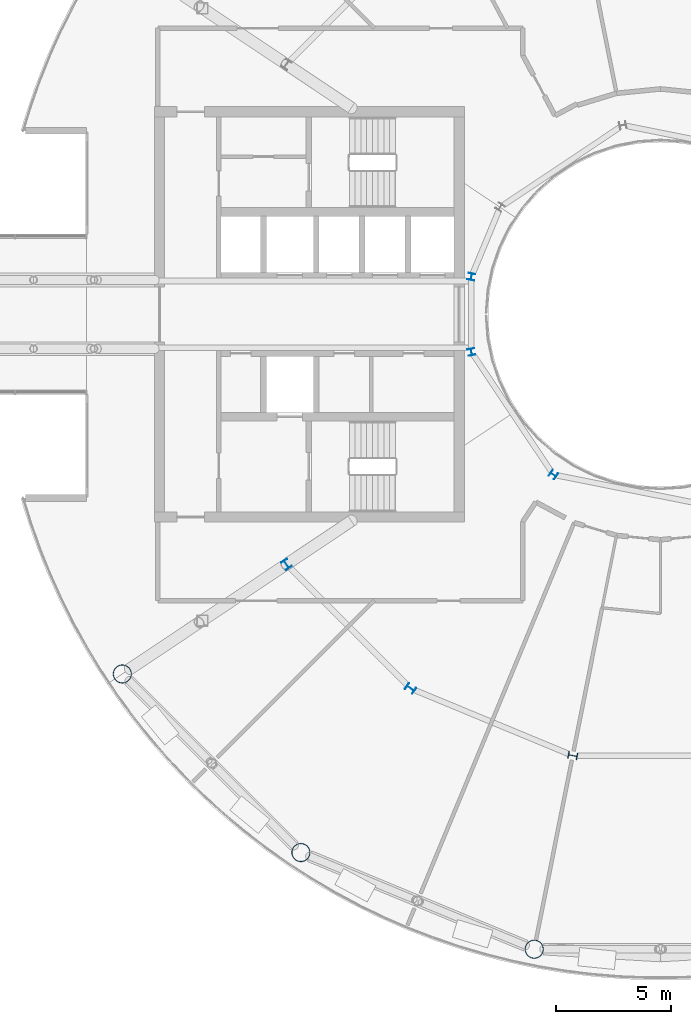
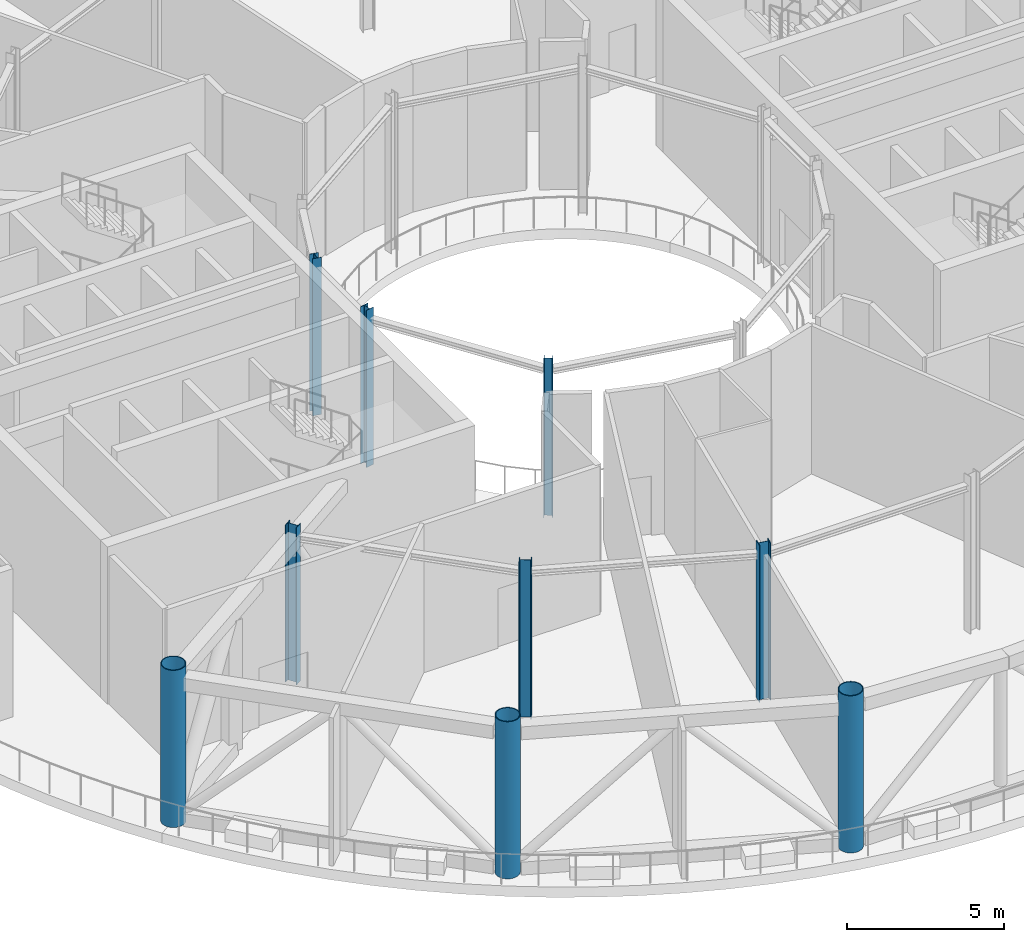
# One storey, part 1 of 24: 9 columns.
"""IFC4 building model written with IfcOpenShell, lengths in metres."""

from ifc_helpers import new_model, si_unit, direction, frame, origin, origin_2d, place, context, subcontext, project, spatial, hollow_circle, i_section, extrude, material, material_profile, profile_set, type_object, element, save


model = new_model("IFC4")

# Units and contexts
model_context = context("Model", 3, precision=1e-05, world=origin(), true_north=direction((0.0, 1.0)))
body_context = subcontext(model_context, "Body", "Model", "MODEL_VIEW")
ifc_project = project(units=[si_unit("LENGTHUNIT", "METRE"), si_unit("AREAUNIT", "SQUARE_METRE"), si_unit("VOLUMEUNIT", "CUBIC_METRE"), si_unit("PLANEANGLEUNIT", "RADIAN"), si_unit("MASSUNIT", "GRAM", prefix="KILO")], contexts=[model_context])

# Site, building, storey
site_placement = place(None, origin())
site = spatial("IfcSite", under=ifc_project, at=site_placement, CompositionType="ELEMENT")
building_placement = place(site_placement, origin())
building = spatial("IfcBuilding", under=site, at=building_placement, Name="Maasbend Ring Residences", CompositionType="ELEMENT")
storey_placement = place(building_placement, frame((0.0, 0.0, 221.85009765625)))
storey = spatial("IfcBuildingStorey", under=building, at=storey_placement, Name="L64", CompositionType="ELEMENT", Elevation=221.85009765625)

# Columns
ifc_material_1 = material(Name="Composite concrete-filled steel tube S460NH / C80/95", Category="concrete")
ifc_material_profile_1 = material_profile(ifc_material_1, hollow_circle(Radius=0.406494140625, WallThickness=0.030029296875, at=origin_2d()), Name="Composite tube column CHS 813x30")
ifc_profile_set_1 = profile_set([ifc_material_profile_1], Name="Composite concrete-filled steel tube S460NH / C80/95")
column_type_1 = type_object("IfcColumnType", Name="Composite tube column CHS 813x30", PredefinedType="COLUMN", material=ifc_profile_set_1)
for number, where, z_axis, x_axis, name in (
    (1, (-23.447509765625, -15.6669921875, 0.0), (0.0, 0.0, 1.0), (1.0, 0.0, 0.0), "Outer column R10"),
    (2, (-15.6669921875, -23.447509765625, 0.0), (0.0, 0.0, 1.0), (1.0, 0.0, 0.0), "Outer column R11"),
    (3, (-5.50146484375, -27.658203125, 0.0), (0.0, 0.0, 1.0), (1.0, 0.0, 0.0), "Outer column R12"),
):
    element("IfcColumn", number, at=place(storey_placement, frame(where, z_axis=z_axis, x_axis=x_axis)), inside=storey, type_object=column_type_1, Name=name, PredefinedType="COLUMN", context=body_context, shape_type="SweptSolid", body=[
        extrude(hollow_circle(Radius=0.406494140625, WallThickness=0.030029296875, at=origin_2d()), origin(), (0.0, 0.0, 1.0), 6.099853515625),
    ])
ifc_material_2 = material(Name="Steel S355J2", Category="steel")
ifc_material_profile_2 = material_profile(ifc_material_2, i_section(OverallWidth=0.300048828125, OverallDepth=0.2900390625, WebThickness=0.008544921875, FlangeThickness=0.013916015625, FilletRadius=0.027099609375, at=origin_2d()), Name="HEA 300")
ifc_profile_set_2 = profile_set([ifc_material_profile_2], Name="Steel S355J2")
column_type_2 = type_object("IfcColumnType", Name="Steel column HEA 300", PredefinedType="COLUMN", material=ifc_profile_set_2)
for number, where, z_axis, x_axis, name in (
    (4, (-8.238525390625, 1.638916015625, 0.0), (0.0, 0.0, 1.0), (-0.980785280403, 0.195090322016, 0.0), "Well ring column R8"),
    (5, (-8.238525390625, -1.638916015625, 0.0), (0.0, 0.0, 1.0), (-0.980785280403, -0.195090322016, 0.0), "Well ring column R9"),
    (6, (-4.666748046875, -6.984375, 0.0), (0.0, 0.0, 1.0), (-0.55557023302, -0.831469612303, 0.0), "Well ring column R11"),
):
    element("IfcColumn", number, at=place(storey_placement, frame(where, z_axis=z_axis, x_axis=x_axis)), inside=storey, type_object=column_type_2, Name=name, PredefinedType="COLUMN", context=body_context, shape_type="SweptSolid", body=[
        extrude(i_section(OverallWidth=0.300048828125, OverallDepth=0.2900390625, WebThickness=0.008544921875, FlangeThickness=0.013916015625, FilletRadius=0.027099609375, at=origin_2d()), origin(), (0.0, 0.0, 1.0), 6.099853515625),
    ])
ifc_material_3 = material(Name="Steel S355J2", Category="steel")
ifc_material_profile_3 = material_profile(ifc_material_3, i_section(OverallWidth=0.300048828125, OverallDepth=0.39990234375, WebThickness=0.013427734375, FlangeThickness=0.02392578125, FilletRadius=0.027099609375, at=origin_2d()), Name="HEB 400")
ifc_profile_set_3 = profile_set([ifc_material_profile_3], Name="Steel S355J2")
column_type_3 = type_object("IfcColumnType", Name="Steel column HEB 400", PredefinedType="COLUMN", material=ifc_profile_set_3)
for number, where, z_axis, x_axis, name in (
    (7, (-16.296875, -10.88916015625, 0.0), (0.0, 0.0, 1.0), (-0.831469612303, -0.55557023302, 0.0), "Corridor ring column R10"),
    (8, (-10.88916015625, -16.296875, 0.0), (0.0, 0.0, 1.0), (-0.55557023302, -0.831469612303, 0.0), "Corridor ring column R11"),
    (9, (-3.82373046875, -19.223388671875, 0.0), (0.0, 0.0, 1.0), (-0.195090322016, -0.980785280403, 0.0), "Corridor ring column R12"),
):
    element("IfcColumn", number, at=place(storey_placement, frame(where, z_axis=z_axis, x_axis=x_axis)), inside=storey, type_object=column_type_3, Name=name, PredefinedType="COLUMN", context=body_context, shape_type="SweptSolid", body=[
        extrude(i_section(OverallWidth=0.300048828125, OverallDepth=0.39990234375, WebThickness=0.013427734375, FlangeThickness=0.02392578125, FilletRadius=0.027099609375, at=origin_2d()), origin(), (0.0, 0.0, 1.0), 6.099853515625),
    ])

save(model, "model.ifc")
